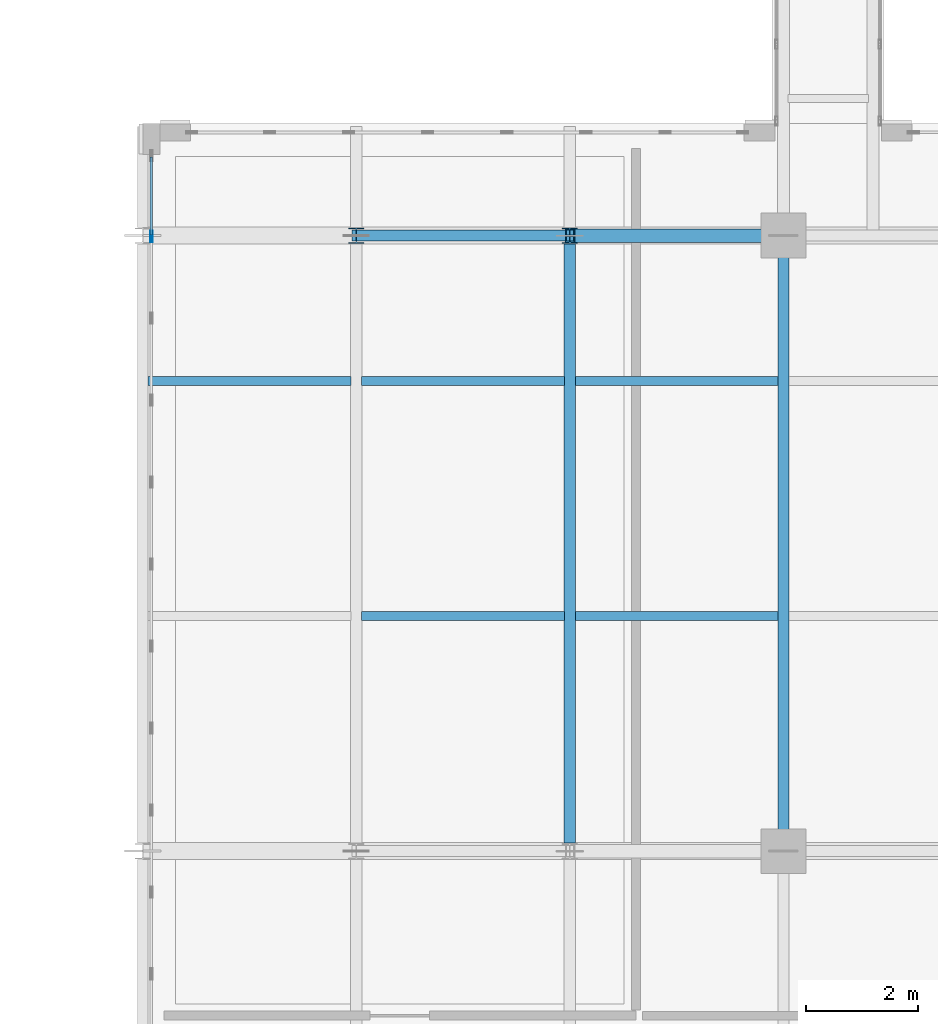
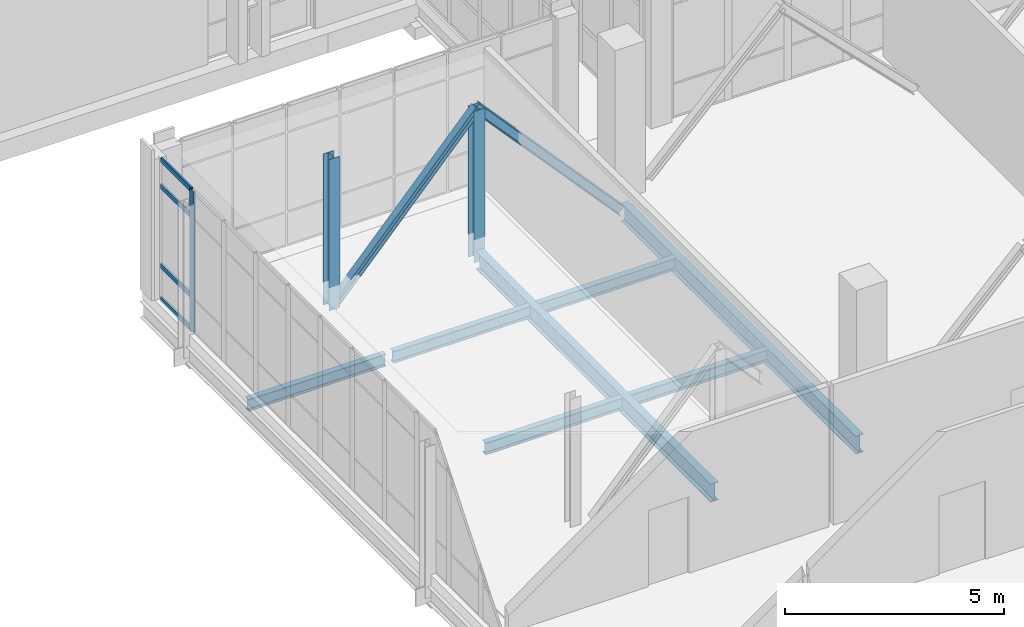
# One storey, part 7 of 193: 9 members, 7 beams, 1 element without a shape of its own.
"""IFC4 building model written with IfcOpenShell, lengths in metres."""

from ifc_helpers import new_model, si_unit, direction, frame, origin, origin_2d, place, context, subcontext, project, spatial, hollow_rectangle, i_section, extrude, material, layer, layer_set, material_profile, profile_set, type_object, element, aggregate, save


model = new_model("IFC4")

# Units and contexts
model_context = context("Model", 3, precision=1e-05, world=origin(), true_north=direction((0.0, 1.0)))
body_context = subcontext(model_context, "Body", "Model", "MODEL_VIEW")
ifc_project = project(units=[si_unit("LENGTHUNIT", "METRE"), si_unit("AREAUNIT", "SQUARE_METRE"), si_unit("VOLUMEUNIT", "CUBIC_METRE"), si_unit("PLANEANGLEUNIT", "RADIAN"), si_unit("MASSUNIT", "GRAM", prefix="KILO")], contexts=[model_context])

# Site, building, storey
site_placement = place(None, origin())
site = spatial("IfcSite", under=ifc_project, at=site_placement, CompositionType="ELEMENT")
building_placement = place(site_placement, origin())
building = spatial("IfcBuilding", under=site, at=building_placement, Name="Qalavern Law Courts", CompositionType="ELEMENT")
storey_placement = place(building_placement, frame((0.0, 0.0, 10.199951171875)))
storey = spatial("IfcBuildingStorey", under=building, at=storey_placement, Name="L02", CompositionType="ELEMENT", Elevation=10.199951171875)

# Curtain wall, members
ifc_material_1 = material(Name="Anodised aluminium and insulated glazing", Category="aluminium")
ifc_layer = layer(ifc_material_1, 0.199951171875)
ifc_layer_set = layer_set([ifc_layer], Name="Anodised aluminium and insulated glazing")
curtain_wall_type = type_object("IfcCurtainWallType", Name="ENV-CW-FOYER", PredefinedType="USERDEFINED", material=ifc_layer_set)
curtain_wall_placement = place(storey_placement, origin())
curtain_wall = element("IfcCurtainWall", 1, at=curtain_wall_placement, inside=storey, type_object=curtain_wall_type, Name="V1 unitised curtain wall L02 west 1", ObjectType="UNITISED CURTAIN WALL", PredefinedType="USERDEFINED")
ifc_material_2 = material(Name="Anodised aluminium", Category="aluminium")
ifc_material_profile_1 = material_profile(ifc_material_2, hollow_rectangle(XDim=0.048095703125, YDim=0.199951171875, WallThickness=0.00439453125, at=origin_2d()), Name="ALU MULLION 48x200")
ifc_profile_set_1 = profile_set([ifc_material_profile_1], Name="Anodised aluminium")
member_type_1 = type_object("IfcMemberType", Name="ENV-CWM-48x200", PredefinedType="MULLION", material=ifc_profile_set_1)
member_1_placement = place(storey_placement, frame((5.5048828125, 31.9853515625, 0.0), z_axis=(0.0, 0.0, 1.0), x_axis=(1.0, 0.0, 0.0)))
member_1 = element("IfcMember", 2, at=member_1_placement, type_object=member_type_1, Name="CW-01 mullion 2", PredefinedType="MULLION", context=body_context, shape_type="SweptSolid", body=[
    extrude(hollow_rectangle(XDim=0.048095703125, YDim=0.199951171875, WallThickness=0.00439453125, at=origin_2d()), origin(), (0.0, 0.0, 1.0), 3.9150390625),
])
ifc_material_profile_2 = material_profile(ifc_material_2, hollow_rectangle(XDim=0.048095703125, YDim=0.139892578125, WallThickness=0.00390625, at=origin_2d()), Name="ALU TRANSOM 48x140")
ifc_profile_set_2 = profile_set([ifc_material_profile_2], Name="Anodised aluminium")
member_type_2 = type_object("IfcMemberType", Name="ENV-CWT-48x140", PredefinedType="USERDEFINED", material=ifc_profile_set_2)
member_2_placement = place(storey_placement, frame((5.5048828125, 33.402099609375, 0.024169921875), z_axis=(0.0, -1.0, 0.0), x_axis=(1.0, 0.0, 0.0)))
member_2 = element("IfcMember", 3, at=member_2_placement, type_object=member_type_2, Name="CW-01 transom 1.1", ObjectType="TRANSOM", PredefinedType="USERDEFINED", context=body_context, shape_type="SweptSolid", body=[
    extrude(hollow_rectangle(XDim=0.048095703125, YDim=0.139892578125, WallThickness=0.00390625, at=origin_2d()), origin(), (0.0, 0.0, 1.0), 1.392822265625),
])
member_3_placement = place(storey_placement, frame((5.5048828125, 33.402099609375, 0.949951171875), z_axis=(0.0, -1.0, 0.0), x_axis=(1.0, 0.0, 0.0)))
member_3 = element("IfcMember", 4, at=member_3_placement, type_object=member_type_2, Name="CW-01 transom 1.2", ObjectType="TRANSOM", PredefinedType="USERDEFINED", context=body_context, shape_type="SweptSolid", body=[
    extrude(hollow_rectangle(XDim=0.048095703125, YDim=0.139892578125, WallThickness=0.00390625, at=origin_2d()), origin(), (0.0, 0.0, 1.0), 1.392822265625),
])
member_4_placement = place(storey_placement, frame((5.5048828125, 33.402099609375, 3.1650390625), z_axis=(0.0, -1.0, 0.0), x_axis=(1.0, 0.0, 0.0)))
member_4 = element("IfcMember", 5, at=member_4_placement, type_object=member_type_2, Name="CW-01 transom 1.3", ObjectType="TRANSOM", PredefinedType="USERDEFINED", context=body_context, shape_type="SweptSolid", body=[
    extrude(hollow_rectangle(XDim=0.048095703125, YDim=0.139892578125, WallThickness=0.00390625, at=origin_2d()), origin(), (0.0, 0.0, 1.0), 1.392822265625),
])
member_5_placement = place(storey_placement, frame((5.5048828125, 33.402099609375, 3.89111328125), z_axis=(0.0, -1.0, 0.0), x_axis=(1.0, 0.0, 0.0)))
member_5 = element("IfcMember", 6, at=member_5_placement, type_object=member_type_2, Name="CW-01 transom 1.4", ObjectType="TRANSOM", PredefinedType="USERDEFINED", context=body_context, shape_type="SweptSolid", body=[
    extrude(hollow_rectangle(XDim=0.048095703125, YDim=0.139892578125, WallThickness=0.00390625, at=origin_2d()), origin(), (0.0, 0.0, 1.0), 1.392822265625),
])
aggregate(curtain_wall, [member_1, member_2, member_3, member_4, member_5])

# Beams
ifc_material_3 = material(Name="Steel S355", Category="steel")
ifc_material_profile_3 = material_profile(ifc_material_3, i_section(OverallWidth=0.199951171875, OverallDepth=0.5, WebThickness=0.01025390625, FlangeThickness=0.01611328125, FilletRadius=0.02099609375, at=origin_2d()), Name="IPE 500")
ifc_profile_set_3 = profile_set([ifc_material_profile_3], Name="Steel S355")
beam_type_1 = type_object("IfcBeamType", Name="STR-BM-IPE500", PredefinedType="BEAM", material=ifc_profile_set_3)
for number, where, z_axis, x_axis, name in (
    (7, (16.800048828125, 21.14794921875, -0.5400390625), (0.0, 1.0, 0.0), (-1.0, 0.0, 0.0), "Foyer transverse beam L02-5.3"),
    (8, (12.9833984375, 21.14794921875, -0.5400390625), (0.0, 1.0, 0.0), (-1.0, 0.0, 0.0), "Foyer transverse beam L02-6.3"),
):
    element("IfcBeam", number, at=place(storey_placement, frame(where, z_axis=z_axis, x_axis=x_axis)), inside=storey, type_object=beam_type_1, Name=name, PredefinedType="BEAM", context=body_context, shape_type="SweptSolid", body=[
        extrude(i_section(OverallWidth=0.199951171875, OverallDepth=0.5, WebThickness=0.01025390625, FlangeThickness=0.01611328125, FilletRadius=0.02099609375, at=origin_2d()), origin(), (0.0, 0.0, 1.0), 10.7041015625),
    ])

# Members
ifc_material_profile_4 = material_profile(ifc_material_3, i_section(OverallWidth=0.199951171875, OverallDepth=0.199951171875, WebThickness=0.009033203125, FlangeThickness=0.014892578125, FilletRadius=0.01806640625, at=origin_2d()), Name="HEB 200")
ifc_profile_set_4 = profile_set([ifc_material_profile_4], Name="Steel S355")
member_type_3 = type_object("IfcMemberType", Name="STR-BR-HEB200", PredefinedType="BRACE", material=ifc_profile_set_4)
member_6_placement = place(storey_placement, frame((12.9833984375, 32.0, 3.590087890625), z_axis=(-0.672079845695, 0.0, -0.740478683698), x_axis=(0.0, -1.0, 0.0)))
element("IfcMember", 9, at=member_6_placement, inside=storey, type_object=member_type_3, Name="Cantilever truss T3 diagonal L02-6", PredefinedType="BRACE", context=body_context, shape_type="SweptSolid", body=[
    extrude(i_section(OverallWidth=0.199951171875, OverallDepth=0.199951171875, WebThickness=0.009033203125, FlangeThickness=0.014892578125, FilletRadius=0.01806640625, at=origin_2d()), origin(), (0.0, 0.0, 1.0), 5.678955078125),
])
ifc_material_profile_5 = material_profile(ifc_material_3, i_section(OverallWidth=0.239990234375, OverallDepth=0.239990234375, WebThickness=0.010009765625, FlangeThickness=0.01708984375, FilletRadius=0.02099609375, at=origin_2d()), Name="HEB 240")
ifc_profile_set_5 = profile_set([ifc_material_profile_5], Name="Steel S355")
member_type_4 = type_object("IfcMemberType", Name="STR-BR-HEB240", PredefinedType="BRACE", material=ifc_profile_set_5)
member_7_placement = place(storey_placement, frame((16.800048828125, 32.0, -0.614990234375), z_axis=(-0.672079845695, 0.0, 0.740478683698), x_axis=(0.0, -1.0, 0.0)))
element("IfcMember", 10, at=member_7_placement, inside=storey, type_object=member_type_4, Name="Cantilever truss T3 diagonal L02-5", PredefinedType="BRACE", context=body_context, shape_type="SweptSolid", body=[
    extrude(i_section(OverallWidth=0.239990234375, OverallDepth=0.239990234375, WebThickness=0.010009765625, FlangeThickness=0.01708984375, FilletRadius=0.02099609375, at=origin_2d()), origin(), (0.0, 0.0, 1.0), 5.678955078125),
])

# Beams
ifc_material_profile_6 = material_profile(ifc_material_3, i_section(OverallWidth=0.159912109375, OverallDepth=0.330078125, WebThickness=0.007568359375, FlangeThickness=0.011474609375, FilletRadius=0.01806640625, at=origin_2d()), Name="IPE 330")
ifc_profile_set_6 = profile_set([ifc_material_profile_6], Name="Steel S355")
beam_type_2 = type_object("IfcBeamType", Name="STR-JST-IPE330", PredefinedType="JOIST", material=ifc_profile_set_6)
for number, where, z_axis, x_axis, name in (
    (11, (13.081298828125, 25.199951171875, -0.454833984375), (1.0, 0.0, 0.0), (0.0, 1.0, 0.0), "Foyer floor joist L02-5.3"),
    (12, (13.081298828125, 29.39990234375, -0.454833984375), (1.0, 0.0, 0.0), (0.0, 1.0, 0.0), "Foyer floor joist L02-5.4"),
    (13, (9.2646484375, 25.199951171875, -0.454833984375), (1.0, 0.0, 0.0), (0.0, 1.0, 0.0), "Foyer floor joist L02-6.3"),
    (14, (9.2646484375, 29.39990234375, -0.454833984375), (1.0, 0.0, 0.0), (0.0, 1.0, 0.0), "Foyer floor joist L02-6.4"),
    (15, (5.447998046875, 29.39990234375, -0.454833984375), (1.0, 0.0, 0.0), (0.0, 1.0, 0.0), "Foyer floor joist L02-7.4"),
):
    element("IfcBeam", number, at=place(storey_placement, frame(where, z_axis=z_axis, x_axis=x_axis)), inside=storey, type_object=beam_type_2, Name=name, PredefinedType="JOIST", context=body_context, shape_type="SweptSolid", body=[
        extrude(i_section(OverallWidth=0.159912109375, OverallDepth=0.330078125, WebThickness=0.007568359375, FlangeThickness=0.011474609375, FilletRadius=0.01806640625, at=origin_2d()), origin(), (0.0, 0.0, 1.0), 3.62060546875),
    ])

# Members
ifc_material_profile_7 = material_profile(ifc_material_3, i_section(OverallWidth=0.280029296875, OverallDepth=0.280029296875, WebThickness=0.010498046875, FlangeThickness=0.01806640625, FilletRadius=0.02392578125, at=origin_2d()), Name="HEB 280")
ifc_profile_set_7 = profile_set([ifc_material_profile_7], Name="Steel S355")
member_type_5 = type_object("IfcMemberType", Name="STR-POST-HEB280", PredefinedType="POST", material=ifc_profile_set_7)
for number, where, z_axis, x_axis, name in (
    (16, (12.9833984375, 32.0, -0.614990234375), (0.0, 0.0, 1.0), (1.0, 0.0, 0.0), "Cantilever truss T3 post L02-1"),
    (17, (9.166748046875, 32.0, -0.614990234375), (0.0, 0.0, 1.0), (1.0, 0.0, 0.0), "Cantilever truss T3 post L02-2"),
):
    element("IfcMember", number, at=place(storey_placement, frame(where, z_axis=z_axis, x_axis=x_axis)), inside=storey, type_object=member_type_5, Name=name, PredefinedType="POST", context=body_context, shape_type="SweptSolid", body=[
        extrude(i_section(OverallWidth=0.280029296875, OverallDepth=0.280029296875, WebThickness=0.010498046875, FlangeThickness=0.01806640625, FilletRadius=0.02392578125, at=origin_2d()), origin(), (0.0, 0.0, 1.0), 4.205078125),
    ])

save(model, "model.ifc")
